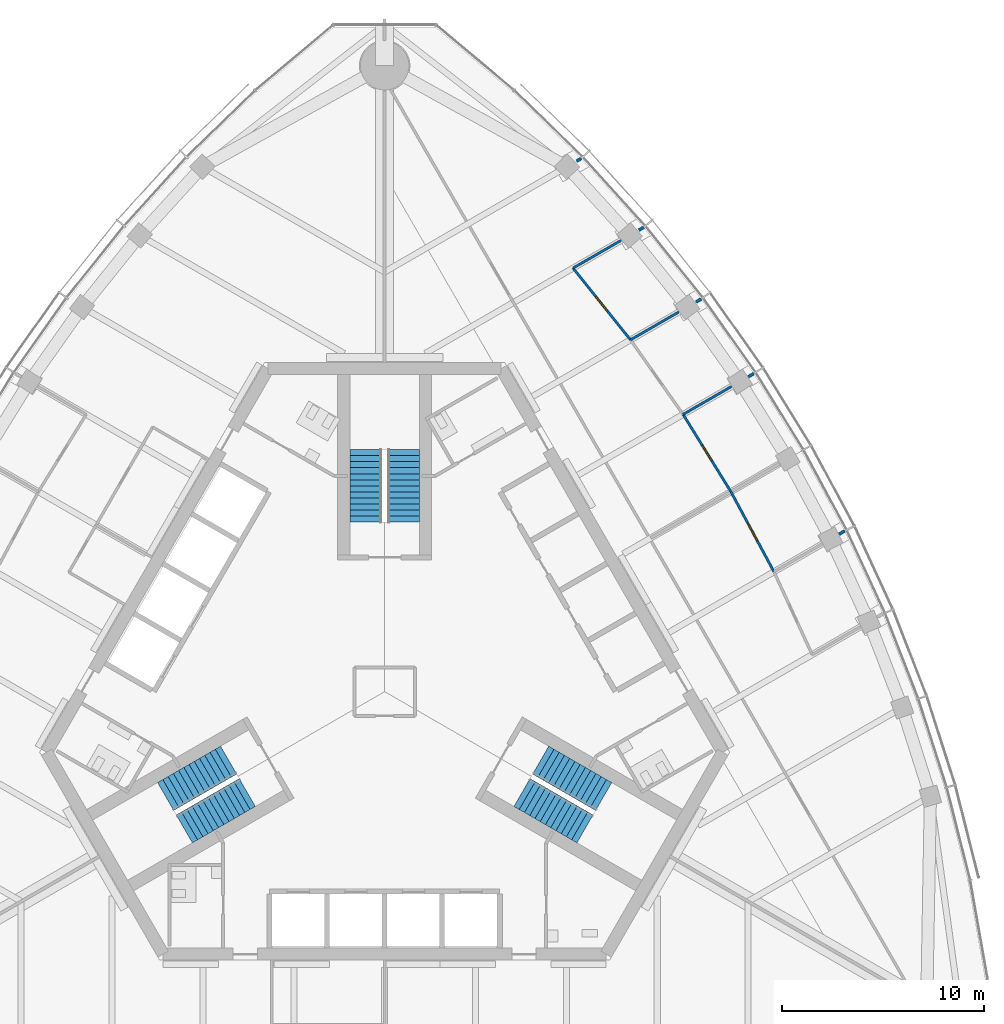
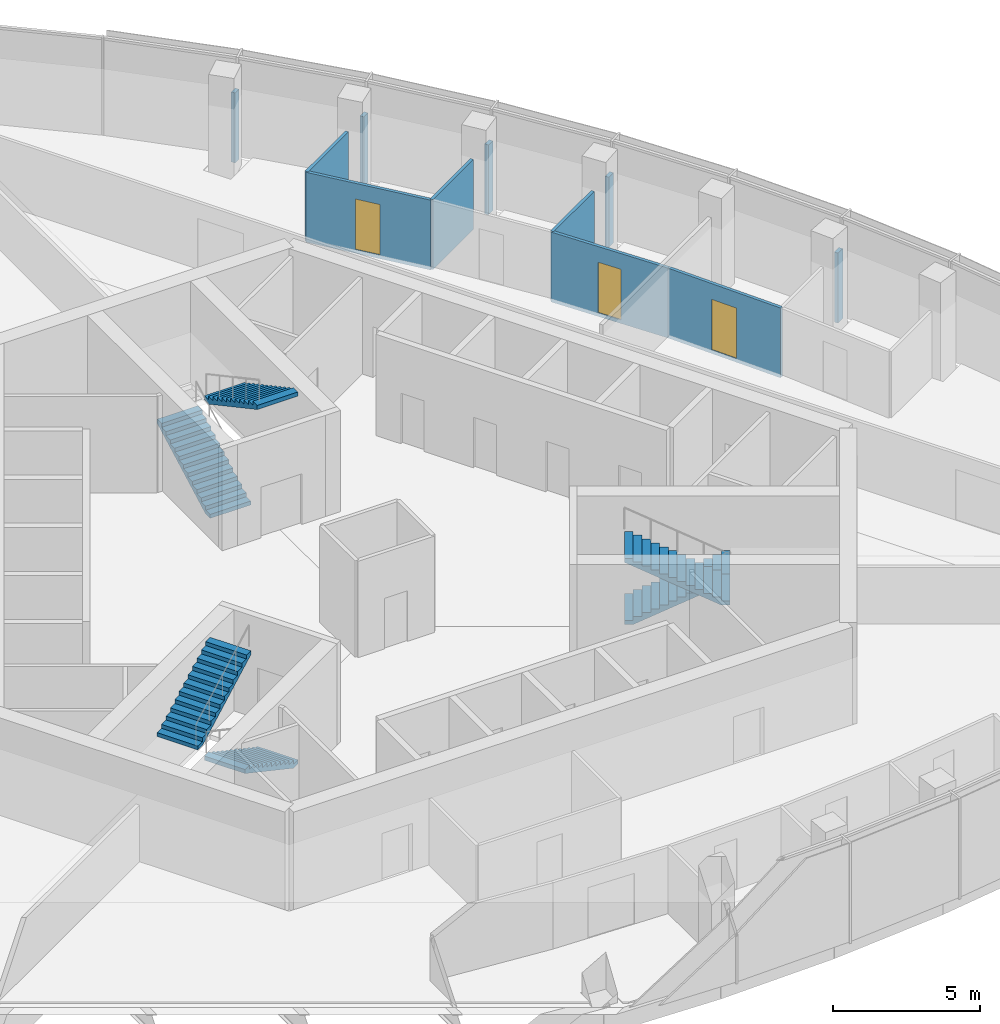
# One storey, part 11 of 16: 11 walls, 6 stair flights, 3 doors, 3 openings, 3 elements without a shape of their own.
"""IFC4 building model written with IfcOpenShell, lengths in metres."""

from ifc_helpers import new_model, si_unit, direction, frame, frame_2d, origin, place, context, subcontext, project, spatial, polyline, rectangle, outline, extrude, material, layer, layer_set, type_object, element, fill, aggregate, save


model = new_model("IFC4")

# Units and contexts
model_context = context("Model", 3, precision=1e-05, world=origin(), true_north=direction((0.0, 1.0)))
body_context = subcontext(model_context, "Body", "Model", "MODEL_VIEW")
ifc_project = project(units=[si_unit("LENGTHUNIT", "METRE"), si_unit("AREAUNIT", "SQUARE_METRE"), si_unit("VOLUMEUNIT", "CUBIC_METRE"), si_unit("PLANEANGLEUNIT", "RADIAN"), si_unit("MASSUNIT", "GRAM", prefix="KILO")], contexts=[model_context])

# Site, building, storey
site_placement = place(None, origin())
site = spatial("IfcSite", under=ifc_project, at=site_placement, CompositionType="ELEMENT")
building_placement = place(site_placement, origin())
building = spatial("IfcBuilding", under=site, at=building_placement, Name="Trefoil Bronze Tower", CompositionType="ELEMENT")
storey_placement = place(building_placement, frame((0.0, 0.0, 301.5)))
storey = spatial("IfcBuildingStorey", under=building, at=storey_placement, Name="L69", CompositionType="ELEMENT", Elevation=301.5)

# Wall, opening, door
ifc_material_1 = material(Name="Glazed partition", Category="glass")
ifc_layer_1 = layer(ifc_material_1, 0.1201171875)
ifc_layer_set_1 = layer_set([ifc_layer_1], Name="Glazed partition 120")
wall_type_1 = type_object("IfcWallType", Name="Glazed partition 120", PredefinedType="PARTITIONING", material=ifc_layer_set_1)
wall_1_placement = place(storey_placement, frame((17.148681640625, 9.90087890625, 0.0), z_axis=(0.0, 0.0, 1.0), x_axis=(-0.525981173851, 0.850496210899, 0.0)))
wall_1 = element("IfcWall", 1, at=wall_1_placement, inside=storey, type_object=wall_type_1, Name="Partition F2 L69", PredefinedType="PARTITIONING", context=body_context, shape_type="SweptSolid", body=[
    extrude(rectangle(XDim=4.501953125, YDim=0.1201171875, at=frame_2d((2.2509765625, 0.0))), origin(), (0.0, 0.0, 1.0), 2.89990234375),
])
opening_1_placement = place(wall_1_placement, frame((1.800048828125, 0.0, 0.14990234375)))
opening_1 = element("IfcOpeningElement", 2, at=opening_1_placement, cuts=wall_1, Name="Opening D8", PredefinedType="OPENING", context=body_context, shape_type="SweptSolid", body=[
    extrude(rectangle(XDim=0.89990234375, YDim=2.10009765625, at=frame_2d((0.449951171875, 1.050048828125))), frame((0.0, 0.070068359375, 0.0), z_axis=(0.0, -1.0, 0.0), x_axis=(1.0, 0.0, 0.0)), (0.0, 0.0, 1.0), 0.14013671875),
])
ifc_material_2 = material(Name="Timber door", Category="wood")
door_type_1 = type_object("IfcDoorType", Name="Office door 900", OperationType="SINGLE_SWING_LEFT", PredefinedType="DOOR", material=ifc_material_2)
door_1_placement = place(opening_1_placement, frame((0.89990234375, 0.0, 0.0), z_axis=(0.0, 0.0, 1.0), x_axis=(-1.0, 0.0, 0.0)))
door_1 = element("IfcDoor", 3, at=door_1_placement, inside=storey, type_object=door_type_1, Name="Office door F2 L69", OperationType="SINGLE_SWING_RIGHT", OverallHeight=2.10009765625, OverallWidth=0.89990234375, PredefinedType="DOOR", context=body_context, shape_type="SweptSolid", body=[
    extrude(rectangle(XDim=0.89990234375, YDim=2.10009765625, at=frame_2d((0.449951171875, 1.050048828125))), frame((0.0, 0.02490234375, 0.0), z_axis=(0.0, -1.0, 0.0), x_axis=(1.0, 0.0, 0.0)), (0.0, 0.0, 1.0), 0.050048828125),
])
fill(opening_1, door_1)

wall_2_placement = place(storey_placement, frame((12.17529296875, 17.421875, 0.0), z_axis=(0.0, 0.0, 1.0), x_axis=(-0.625290045305, 0.780392439252, 0.0)))
wall_2 = element("IfcWall", 4, at=wall_2_placement, inside=storey, type_object=wall_type_1, Name="Partition F2 L69", PredefinedType="PARTITIONING", context=body_context, shape_type="SweptSolid", body=[
    extrude(rectangle(XDim=4.55224609375, YDim=0.1201171875, at=frame_2d((2.276123046875, 0.0))), origin(), (0.0, 0.0, 1.0), 2.89990234375),
])
opening_2_placement = place(wall_2_placement, frame((1.85009765625, 0.0, 0.14990234375)))
opening_2 = element("IfcOpeningElement", 5, at=opening_2_placement, cuts=wall_2, Name="Opening D8", PredefinedType="OPENING", context=body_context, shape_type="SweptSolid", body=[
    extrude(rectangle(XDim=0.89990234375, YDim=2.10009765625, at=frame_2d((0.449951171875, 1.050048828125))), frame((0.0, 0.070068359375, 0.0), z_axis=(0.0, -1.0, 0.0), x_axis=(1.0, 0.0, 0.0)), (0.0, 0.0, 1.0), 0.14013671875),
])
door_2_placement = place(opening_2_placement, frame((0.89990234375, 0.0, 0.0), z_axis=(0.0, 0.0, 1.0), x_axis=(-1.0, 0.0, 0.0)))
door_2 = element("IfcDoor", 6, at=door_2_placement, inside=storey, type_object=door_type_1, Name="Office door F2 L69", OperationType="SINGLE_SWING_LEFT", OverallHeight=2.10009765625, OverallWidth=0.89990234375, PredefinedType="DOOR", context=body_context, shape_type="SweptSolid", body=[
    extrude(rectangle(XDim=0.89990234375, YDim=2.10009765625, at=frame_2d((0.449951171875, 1.050048828125))), frame((0.0, 0.02490234375, 0.0), z_axis=(0.0, -1.0, 0.0), x_axis=(1.0, 0.0, 0.0)), (0.0, 0.0, 1.0), 0.050048828125),
])
fill(opening_2, door_2)

wall_3_placement = place(storey_placement, frame((19.28076171875, 5.935546875, 0.0), z_axis=(0.0, 0.0, 1.0), x_axis=(-0.473566170147, 0.880758242932, 0.0)))
wall_3 = element("IfcWall", 7, at=wall_3_placement, inside=storey, type_object=wall_type_1, Name="Partition F2 L69", PredefinedType="PARTITIONING", context=body_context, shape_type="SweptSolid", body=[
    extrude(rectangle(XDim=4.502197265625, YDim=0.1201171875, at=frame_2d((2.2509765625, 0.0))), origin(), (0.0, 0.0, 1.0), 2.89990234375),
])
opening_3_placement = place(wall_3_placement, frame((1.75, 0.0, 0.14990234375)))
opening_3 = element("IfcOpeningElement", 8, at=opening_3_placement, cuts=wall_3, Name="Opening D9", PredefinedType="OPENING", context=body_context, shape_type="SweptSolid", body=[
    extrude(rectangle(XDim=1.0, YDim=2.10009765625, at=frame_2d((0.5, 1.050048828125))), frame((0.0, 0.070068359375, 0.0), z_axis=(0.0, -1.0, 0.0), x_axis=(1.0, 0.0, 0.0)), (0.0, 0.0, 1.0), 0.14013671875),
])
ifc_material_3 = material(Name="Glazed timber door", Category="wood")
door_type_2 = type_object("IfcDoorType", Name="Meeting room door 1000", OperationType="SINGLE_SWING_LEFT", PredefinedType="DOOR", material=ifc_material_3)
door_3_placement = place(opening_3_placement, frame((1.0, 0.0, 0.0), z_axis=(0.0, 0.0, 1.0), x_axis=(-1.0, 0.0, 0.0)))
door_3 = element("IfcDoor", 9, at=door_3_placement, inside=storey, type_object=door_type_2, Name="Meeting room door F2 L69", OperationType="SINGLE_SWING_RIGHT", OverallHeight=2.10009765625, OverallWidth=1.0, PredefinedType="DOOR", context=body_context, shape_type="SweptSolid", body=[
    extrude(rectangle(XDim=1.0, YDim=2.10009765625, at=frame_2d((0.5, 1.050048828125))), frame((0.0, 0.02490234375, 0.0), z_axis=(0.0, -1.0, 0.0), x_axis=(1.0, 0.0, 0.0)), (0.0, 0.0, 1.0), 0.050048828125),
])
fill(opening_3, door_3)

# Walls
wall_4_placement = place(storey_placement, frame((9.328857421875, 20.974365234375, 0.0), z_axis=(0.0, 0.0, 1.0), x_axis=(0.866031754707, 0.499988999718, 0.0)))
element("IfcWall", 10, at=wall_4_placement, inside=storey, type_object=wall_type_1, Name="Partition F2 L69", PredefinedType="PARTITIONING", context=body_context, shape_type="SweptSolid", body=[
    extrude(rectangle(XDim=2.74853515625, YDim=0.1201171875, at=frame_2d((1.374267578125, 0.0))), origin(), (0.0, 0.0, 1.0), 2.89990234375),
])
wall_5_placement = place(storey_placement, frame((14.78076171875, 13.729736328125, 0.0), z_axis=(0.0, 0.0, 1.0), x_axis=(0.866019581949, 0.500010083578, 0.0)))
element("IfcWall", 11, at=wall_5_placement, inside=storey, type_object=wall_type_1, Name="Partition F2 L69", PredefinedType="PARTITIONING", context=body_context, shape_type="SweptSolid", body=[
    extrude(rectangle(XDim=2.767578125, YDim=0.1201171875, at=frame_2d((1.3837890625, 0.0))), origin(), (0.0, 0.0, 1.0), 2.89990234375),
])
wall_6_placement = place(storey_placement, frame((12.17529296875, 17.421875, 0.0), z_axis=(0.0, 0.0, 1.0), x_axis=(0.866063358106, 0.499934255424, 0.0)))
element("IfcWall", 12, at=wall_6_placement, inside=storey, type_object=wall_type_1, Name="Partition F2 L69", PredefinedType="PARTITIONING", context=body_context, shape_type="SweptSolid", body=[
    extrude(rectangle(XDim=2.760498046875, YDim=0.1201171875, at=frame_2d((1.38037109375, 0.0))), origin(), (0.0, 0.0, 1.0), 2.89990234375),
])
ifc_material_4 = material(Name="Gypsum board on steel studs", Category="steel")
ifc_layer_2 = layer(ifc_material_4, 0.14990234375)
ifc_layer_set_2 = layer_set([ifc_layer_2], Name="Partition 150")
wall_type_2 = type_object("IfcWallType", Name="Partition 150", PredefinedType="PARTITIONING", material=ifc_layer_set_2)
wall_7_placement = place(storey_placement, frame((12.58935546875, 22.85693359375, 0.0), z_axis=(0.0, 0.0, 1.0), x_axis=(0.865982457891, 0.500074377092, 0.0)))
element("IfcWall", 13, at=wall_7_placement, inside=storey, type_object=wall_type_2, Name="Partition F2 L69", PredefinedType="PARTITIONING", context=body_context, shape_type="SweptSolid", body=[
    extrude(rectangle(XDim=0.2802734375, YDim=0.14990234375, at=frame_2d((0.14013671875, 0.0))), origin(), (0.0, 0.0, 1.0), 2.89990234375),
])
wall_8_placement = place(storey_placement, frame((9.503662109375, 26.271484375, 0.0), z_axis=(0.0, 0.0, 1.0), x_axis=(0.866004557827, 0.500036104519, 0.0)))
element("IfcWall", 14, at=wall_8_placement, inside=storey, type_object=wall_type_2, Name="Partition F2 L69", PredefinedType="PARTITIONING", context=body_context, shape_type="SweptSolid", body=[
    extrude(rectangle(XDim=0.26953125, YDim=0.14990234375, at=frame_2d((0.134765625, 0.0))), origin(), (0.0, 0.0, 1.0), 2.89990234375),
])
wall_9_placement = place(storey_placement, frame((18.010009765625, 15.59423828125, 0.0), z_axis=(0.0, 0.0, 1.0), x_axis=(0.866095534226, 0.499878510834, 0.0)))
element("IfcWall", 15, at=wall_9_placement, inside=storey, type_object=wall_type_2, Name="Partition F2 L69", PredefinedType="PARTITIONING", context=body_context, shape_type="SweptSolid", body=[
    extrude(rectangle(XDim=0.31591796875, YDim=0.14990234375, at=frame_2d((0.157958984375, 0.0))), origin(), (0.0, 0.0, 1.0), 2.89990234375),
])
wall_10_placement = place(storey_placement, frame((15.42236328125, 19.29638671875, 0.0), z_axis=(0.0, 0.0, 1.0), x_axis=(0.865896854829, 0.500222587251, 0.0)))
element("IfcWall", 16, at=wall_10_placement, inside=storey, type_object=wall_type_2, Name="Partition F2 L69", PredefinedType="PARTITIONING", context=body_context, shape_type="SweptSolid", body=[
    extrude(rectangle(XDim=0.295654296875, YDim=0.14990234375, at=frame_2d((0.14794921875, 0.0))), origin(), (0.0, 0.0, 1.0), 2.89990234375),
])
wall_11_placement = place(storey_placement, frame((22.510009765625, 7.800048828125, 0.0), z_axis=(0.0, 0.0, 1.0), x_axis=(0.866095534226, 0.499878510834, 0.0)))
element("IfcWall", 17, at=wall_11_placement, inside=storey, type_object=wall_type_2, Name="Partition F2 L69", PredefinedType="PARTITIONING", context=body_context, shape_type="SweptSolid", body=[
    extrude(rectangle(XDim=0.31591796875, YDim=0.14990234375, at=frame_2d((0.157958984375, 0.0))), origin(), (0.0, 0.0, 1.0), 2.89990234375),
])

# Stair, stair flights
ifc_material_5 = material(Name="Precast concrete B80", Category="concrete")
stair_type = type_object("IfcStairType", Name="Exit stair 26 risers", PredefinedType="HALF_TURN_STAIR", material=ifc_material_5)
stair_1_placement = place(storey_placement, origin())
stair_1 = element("IfcStair", 18, at=stair_1_placement, inside=storey, type_object=stair_type, Name="Stair ST1 L69", PredefinedType="HALF_TURN_STAIR")
ifc_material_6 = material(Name="Precast concrete B80", Category="concrete")
stair_flight_type = type_object("IfcStairFlightType", Name="Stair flight 1600", PredefinedType="STRAIGHT", material=ifc_material_6)
stair_flight_1_placement = place(storey_placement, frame((7.728515625, -3.39404296875, 0.0), z_axis=(0.0, 0.0, 1.0), x_axis=(0.866025403784, -0.5, 0.0)))
stair_flight_1 = element("IfcStairFlight", 19, at=stair_flight_1_placement, type_object=stair_flight_type, Name="ST1 flight 1", NumberOfRisers=13, NumberOfTreads=12, PredefinedType="STRAIGHT", RiserHeight=0.161538462, TreadLength=0.3, context=body_context, shape_type="SweptSolid", body=[
    extrude(outline(polyline([(0.0, 0.0), (0.0, 0.16162109375), (0.300048828125, 0.16162109375), (0.300048828125, 0.322998046875), (0.60009765625, 0.322998046875), (0.60009765625, 0.484619140625), (0.89990234375, 0.484619140625), (0.89990234375, 0.646240234375), (1.199951171875, 0.646240234375), (1.199951171875, 0.8076171875), (1.5, 0.8076171875), (1.5, 0.96923828125), (1.800048828125, 0.96923828125), (1.800048828125, 1.130859375), (2.10009765625, 1.130859375), (2.10009765625, 1.292236328125), (2.39990234375, 1.292236328125), (2.39990234375, 1.453857421875), (2.699951171875, 1.453857421875), (2.699951171875, 1.615478515625), (3.0, 1.615478515625), (3.0, 1.77685546875), (3.300048828125, 1.77685546875), (3.300048828125, 1.9384765625), (3.60009765625, 1.9384765625), (3.60009765625, 2.10009765625), (3.60009765625, 1.768310546875), (0.316162109375, 0.0), (0.0, 0.0)])), frame((0.0, 0.800048828125, 0.0), z_axis=(0.0, -1.0, 0.0), x_axis=(1.0, 0.0, 0.0)), (0.0, 0.0, 1.0), 1.60009765625),
])
stair_flight_2_placement = place(storey_placement, frame((9.921142578125, -6.796142578125, 2.10009765625), z_axis=(0.0, 0.0, 1.0), x_axis=(-0.866025403784, 0.5, 0.0)))
stair_flight_2 = element("IfcStairFlight", 20, at=stair_flight_2_placement, type_object=stair_flight_type, Name="ST1 flight 2", NumberOfRisers=13, NumberOfTreads=12, PredefinedType="STRAIGHT", RiserHeight=0.161538462, TreadLength=0.3, context=body_context, shape_type="SweptSolid", body=[
    extrude(outline(polyline([(0.0, 0.0), (0.0, 0.16162109375), (0.300048828125, 0.16162109375), (0.300048828125, 0.322998046875), (0.60009765625, 0.322998046875), (0.60009765625, 0.484619140625), (0.89990234375, 0.484619140625), (0.89990234375, 0.646240234375), (1.199951171875, 0.646240234375), (1.199951171875, 0.8076171875), (1.5, 0.8076171875), (1.5, 0.96923828125), (1.800048828125, 0.96923828125), (1.800048828125, 1.130859375), (2.10009765625, 1.130859375), (2.10009765625, 1.292236328125), (2.39990234375, 1.292236328125), (2.39990234375, 1.453857421875), (2.699951171875, 1.453857421875), (2.699951171875, 1.615478515625), (3.0, 1.615478515625), (3.0, 1.77685546875), (3.300048828125, 1.77685546875), (3.300048828125, 1.9384765625), (3.60009765625, 1.9384765625), (3.60009765625, 2.10009765625), (3.60009765625, 1.768310546875), (0.316162109375, 0.0), (0.0, 0.0)])), frame((0.0, 0.800048828125, 0.0), z_axis=(0.0, -1.0, 0.0), x_axis=(1.0, 0.0, 0.0)), (0.0, 0.0, 1.0), 1.60009765625),
])
aggregate(stair_1, [stair_flight_1, stair_flight_2])

stair_2_placement = place(storey_placement, origin())
stair_2 = element("IfcStair", 21, at=stair_2_placement, inside=storey, type_object=stair_type, Name="Stair ST2 L69", PredefinedType="HALF_TURN_STAIR")
stair_flight_3_placement = place(storey_placement, frame((-0.925048828125, 8.389892578125, 0.0), z_axis=(0.0, 0.0, 1.0), x_axis=(0.0, 1.0, 0.0)))
stair_flight_3 = element("IfcStairFlight", 22, at=stair_flight_3_placement, type_object=stair_flight_type, Name="ST2 flight 1", NumberOfRisers=13, NumberOfTreads=12, PredefinedType="STRAIGHT", RiserHeight=0.161538462, TreadLength=0.3, context=body_context, shape_type="SweptSolid", body=[
    extrude(outline(polyline([(0.0, 0.0), (0.0, 0.16162109375), (0.300048828125, 0.16162109375), (0.300048828125, 0.322998046875), (0.60009765625, 0.322998046875), (0.60009765625, 0.484619140625), (0.89990234375, 0.484619140625), (0.89990234375, 0.646240234375), (1.199951171875, 0.646240234375), (1.199951171875, 0.8076171875), (1.5, 0.8076171875), (1.5, 0.96923828125), (1.800048828125, 0.96923828125), (1.800048828125, 1.130859375), (2.10009765625, 1.130859375), (2.10009765625, 1.292236328125), (2.39990234375, 1.292236328125), (2.39990234375, 1.453857421875), (2.699951171875, 1.453857421875), (2.699951171875, 1.615478515625), (3.0, 1.615478515625), (3.0, 1.77685546875), (3.300048828125, 1.77685546875), (3.300048828125, 1.9384765625), (3.60009765625, 1.9384765625), (3.60009765625, 2.10009765625), (3.60009765625, 1.768310546875), (0.316162109375, 0.0), (0.0, 0.0)])), frame((0.0, 0.800048828125, 0.0), z_axis=(0.0, -1.0, 0.0), x_axis=(1.0, 0.0, 0.0)), (0.0, 0.0, 1.0), 1.60009765625),
])
stair_flight_4_placement = place(storey_placement, frame((0.925048828125, 11.989990234375, 2.10009765625), z_axis=(0.0, 0.0, 1.0), x_axis=(0.0, -1.0, 0.0)))
stair_flight_4 = element("IfcStairFlight", 23, at=stair_flight_4_placement, type_object=stair_flight_type, Name="ST2 flight 2", NumberOfRisers=13, NumberOfTreads=12, PredefinedType="STRAIGHT", RiserHeight=0.161538462, TreadLength=0.3, context=body_context, shape_type="SweptSolid", body=[
    extrude(outline(polyline([(0.0, 0.0), (0.0, 0.16162109375), (0.300048828125, 0.16162109375), (0.300048828125, 0.322998046875), (0.60009765625, 0.322998046875), (0.60009765625, 0.484619140625), (0.89990234375, 0.484619140625), (0.89990234375, 0.646240234375), (1.199951171875, 0.646240234375), (1.199951171875, 0.8076171875), (1.5, 0.8076171875), (1.5, 0.96923828125), (1.800048828125, 0.96923828125), (1.800048828125, 1.130859375), (2.10009765625, 1.130859375), (2.10009765625, 1.292236328125), (2.39990234375, 1.292236328125), (2.39990234375, 1.453857421875), (2.699951171875, 1.453857421875), (2.699951171875, 1.615478515625), (3.0, 1.615478515625), (3.0, 1.77685546875), (3.300048828125, 1.77685546875), (3.300048828125, 1.9384765625), (3.60009765625, 1.9384765625), (3.60009765625, 2.10009765625), (3.60009765625, 1.768310546875), (0.316162109375, 0.0), (0.0, 0.0)])), frame((0.0, 0.800048828125, 0.0), z_axis=(0.0, -1.0, 0.0), x_axis=(1.0, 0.0, 0.0)), (0.0, 0.0, 1.0), 1.60009765625),
])
aggregate(stair_2, [stair_flight_3, stair_flight_4])

stair_3_placement = place(storey_placement, origin())
stair_3 = element("IfcStair", 24, at=stair_3_placement, inside=storey, type_object=stair_type, Name="Stair ST3 L69", PredefinedType="HALF_TURN_STAIR")
stair_flight_5_placement = place(storey_placement, frame((-6.803466796875, -4.99609375, 0.0), z_axis=(0.0, 0.0, 1.0), x_axis=(-0.866025403784, -0.5, 0.0)))
stair_flight_5 = element("IfcStairFlight", 25, at=stair_flight_5_placement, type_object=stair_flight_type, Name="ST3 flight 1", NumberOfRisers=13, NumberOfTreads=12, PredefinedType="STRAIGHT", RiserHeight=0.161538462, TreadLength=0.3, context=body_context, shape_type="SweptSolid", body=[
    extrude(outline(polyline([(0.0, 0.0), (0.0, 0.16162109375), (0.300048828125, 0.16162109375), (0.300048828125, 0.322998046875), (0.60009765625, 0.322998046875), (0.60009765625, 0.484619140625), (0.89990234375, 0.484619140625), (0.89990234375, 0.646240234375), (1.199951171875, 0.646240234375), (1.199951171875, 0.8076171875), (1.5, 0.8076171875), (1.5, 0.96923828125), (1.800048828125, 0.96923828125), (1.800048828125, 1.130859375), (2.10009765625, 1.130859375), (2.10009765625, 1.292236328125), (2.39990234375, 1.292236328125), (2.39990234375, 1.453857421875), (2.699951171875, 1.453857421875), (2.699951171875, 1.615478515625), (3.0, 1.615478515625), (3.0, 1.77685546875), (3.300048828125, 1.77685546875), (3.300048828125, 1.9384765625), (3.60009765625, 1.9384765625), (3.60009765625, 2.10009765625), (3.60009765625, 1.768310546875), (0.316162109375, 0.0), (0.0, 0.0)])), frame((0.0, 0.800048828125, 0.0), z_axis=(0.0, -1.0, 0.0), x_axis=(1.0, 0.0, 0.0)), (0.0, 0.0, 1.0), 1.60009765625),
])
stair_flight_6_placement = place(storey_placement, frame((-10.84619140625, -5.19384765625, 2.10009765625), z_axis=(0.0, 0.0, 1.0), x_axis=(0.866025403784, 0.5, 0.0)))
stair_flight_6 = element("IfcStairFlight", 26, at=stair_flight_6_placement, type_object=stair_flight_type, Name="ST3 flight 2", NumberOfRisers=13, NumberOfTreads=12, PredefinedType="STRAIGHT", RiserHeight=0.161538462, TreadLength=0.3, context=body_context, shape_type="SweptSolid", body=[
    extrude(outline(polyline([(0.0, 0.0), (0.0, 0.16162109375), (0.300048828125, 0.16162109375), (0.300048828125, 0.322998046875), (0.60009765625, 0.322998046875), (0.60009765625, 0.484619140625), (0.89990234375, 0.484619140625), (0.89990234375, 0.646240234375), (1.199951171875, 0.646240234375), (1.199951171875, 0.8076171875), (1.5, 0.8076171875), (1.5, 0.96923828125), (1.800048828125, 0.96923828125), (1.800048828125, 1.130859375), (2.10009765625, 1.130859375), (2.10009765625, 1.292236328125), (2.39990234375, 1.292236328125), (2.39990234375, 1.453857421875), (2.699951171875, 1.453857421875), (2.699951171875, 1.615478515625), (3.0, 1.615478515625), (3.0, 1.77685546875), (3.300048828125, 1.77685546875), (3.300048828125, 1.9384765625), (3.60009765625, 1.9384765625), (3.60009765625, 2.10009765625), (3.60009765625, 1.768310546875), (0.316162109375, 0.0), (0.0, 0.0)])), frame((0.0, 0.800048828125, 0.0), z_axis=(0.0, -1.0, 0.0), x_axis=(1.0, 0.0, 0.0)), (0.0, 0.0, 1.0), 1.60009765625),
])
aggregate(stair_3, [stair_flight_5, stair_flight_6])

save(model, "model.ifc")
